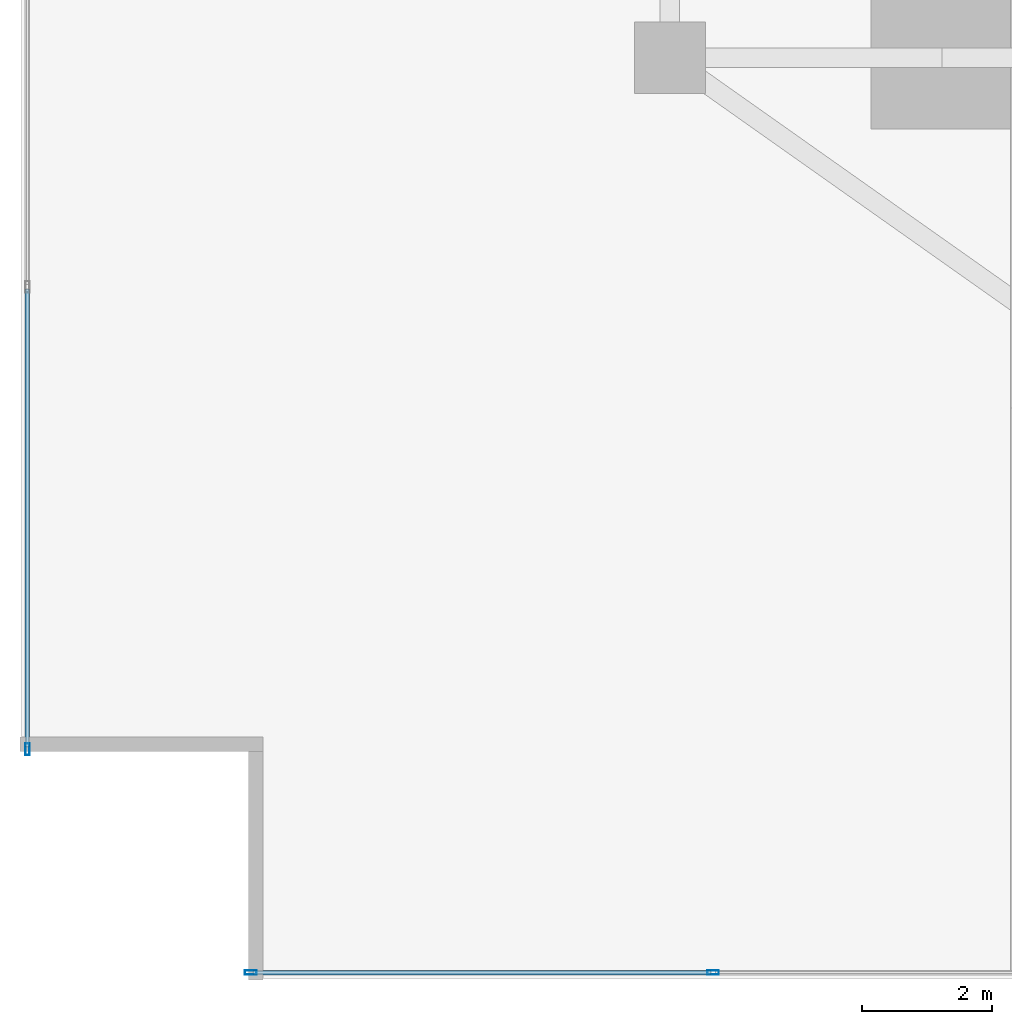
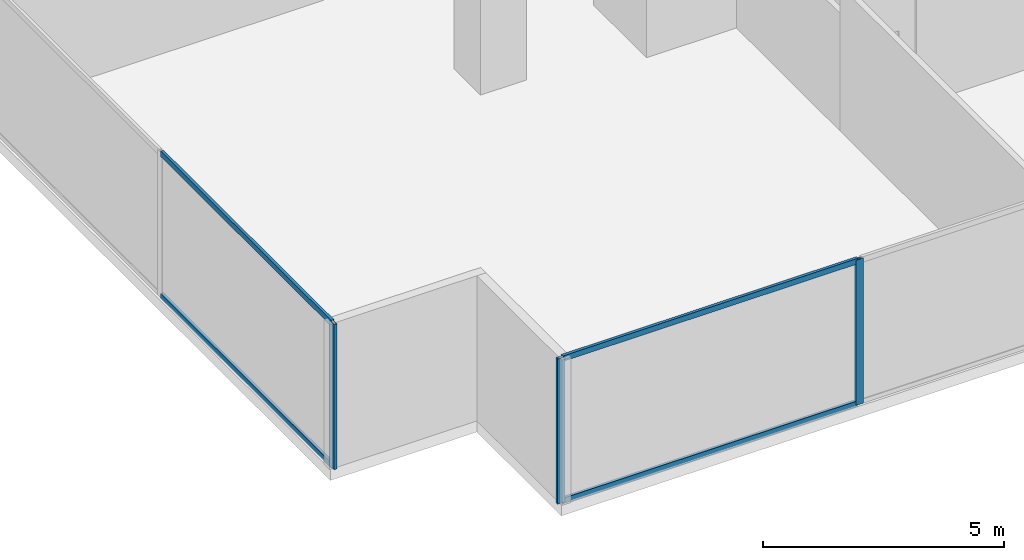
# One storey, part 2 of 28: 7 members, 2 elements without a shape of their own.
"""IFC4 building model written with IfcOpenShell, lengths in metres."""

import ifcopenshell
import ifcopenshell.guid

model = None  # the IFC model being written
_history = None  # IfcOwnerHistory: only IFC2X3 demands one
_inside = {}  # id of a spatial element -> (the spatial element, [elements in it])
_under = {}  # id of a project, library or spatial element -> (it, [spatial elements below it])
_declared = {}  # id of a project -> (the project, [libraries it declares])
_typed = {}  # id of a type object -> (the type object, [elements of that type])
_made_of = {}  # id of a material, layer set ... -> (it, [elements and type objects made of it])


def new_model(schema):
    """Start an empty IFC model of exactly this schema.

    Asked for "IFC4X3", IfcOpenShell would pick the latest addendum, in which some entities
    have other attributes; the version numbers below select the first issue.
    IFC2X3 requires an IfcOwnerHistory on every rooted entity: one is made here for all.
    """
    global model, _history
    if schema == "IFC4X3":
        model = ifcopenshell.file(schema_version=(4, 3, 0, 0))
    else:
        model = ifcopenshell.file(schema=schema)
    _inside.clear()
    _under.clear()
    _declared.clear()
    _typed.clear()
    _made_of.clear()
    _history = None
    if model.schema == "IFC2X3":
        org = make("IfcOrganization", Name="unknown")
        user = make(
            "IfcPersonAndOrganization",
            ThePerson=make("IfcPerson", FamilyName="unknown"),
            TheOrganization=org,
        )
        app = make(
            "IfcApplication",
            ApplicationDeveloper=org,
            Version="unknown",
            ApplicationFullName="unknown",
            ApplicationIdentifier="unknown",
        )
        _history = make(
            "IfcOwnerHistory",
            OwningUser=user,
            OwningApplication=app,
            ChangeAction="ADDED",
            CreationDate=0,
        )
    return model


def make(cls, **values):
    """One entity of the class cls with the attributes given. An attribute that is None is left unset."""
    return model.create_entity(
        cls, **{name: value for name, value in values.items() if value is not None}
    )


def rooted(cls, **values):
    """An entity with a GlobalId (a new one), such as an element, a storey or a relation."""
    return make(cls, GlobalId=ifcopenshell.guid.new(), OwnerHistory=_history, **values)


def si_unit(unit_type, name, prefix=None):
    """IfcSIUnit, for example si_unit("LENGTHUNIT", "METRE", prefix="MILLI")."""
    return make("IfcSIUnit", UnitType=unit_type, Prefix=prefix, Name=name)


def assignment(units):
    """IfcUnitAssignment: the units of a project."""
    return None if units is None else make("IfcUnitAssignment", Units=units)


def point(xyz):
    """IfcCartesianPoint."""
    return None if xyz is None else make("IfcCartesianPoint", Coordinates=xyz)


def direction(xyz):
    """IfcDirection."""
    return None if xyz is None else make("IfcDirection", DirectionRatios=xyz)


def frame(location, z_axis=None, x_axis=None):
    """IfcAxis2Placement3D, a coordinate frame: its origin and axes. An axis left out is left unset."""
    return make(
        "IfcAxis2Placement3D",
        Location=point(location),
        Axis=direction(z_axis),
        RefDirection=direction(x_axis),
    )


def frame_2d(location, x_axis=None):
    """IfcAxis2Placement2D, a coordinate frame in the plane: its origin and x axis."""
    return make(
        "IfcAxis2Placement2D", Location=point(location), RefDirection=direction(x_axis)
    )


def origin():
    """The frame at (0, 0, 0) with its axes left unset."""
    return frame((0.0, 0.0, 0.0))


def origin_2d():
    """The frame at (0, 0) in the plane with its x axis left unset."""
    return frame_2d((0.0, 0.0))


def place(relative_to, where):
    """IfcLocalPlacement: puts the frame where relative to a parent placement (None: the world)."""
    return make(
        "IfcLocalPlacement", PlacementRelTo=relative_to, RelativePlacement=where
    )


def context(
    kind, dimensions, precision=None, world=None, true_north=None, identifier=None
):
    """IfcGeometricRepresentationContext, for example the 3D "Model" context."""
    return make(
        "IfcGeometricRepresentationContext",
        ContextIdentifier=identifier,
        ContextType=kind,
        CoordinateSpaceDimension=dimensions,
        Precision=precision,
        WorldCoordinateSystem=world,
        TrueNorth=true_north,
    )


def subcontext(parent, identifier, kind, view, scale=None):
    """IfcGeometricRepresentationSubContext, for example "Body" below "Model"."""
    return make(
        "IfcGeometricRepresentationSubContext",
        ContextIdentifier=identifier,
        ContextType=kind,
        ParentContext=parent,
        TargetScale=scale,
        TargetView=view,
    )


def project(units=None, contexts=None):
    """IfcProject with its units and contexts."""
    return rooted(
        "IfcProject",
        Name="project",
        RepresentationContexts=contexts,
        UnitsInContext=assignment(units),
    )


def spatial(cls, under=None, at=None, **own):
    """A site, building, storey or space (cls), placed at a placement, below another one or the project."""
    s = rooted(cls, ObjectPlacement=at, **own)
    if under is not None:
        _under.setdefault(under.id(), (under, []))[1].append(s)
    return s


def profile(cls, at=None, kind="AREA", **sizes):
    """A parametric profile (cls). Its sizes go by their IFC names, for example OverallWidth=200.0."""
    return make(cls, ProfileType=kind, Position=at, **sizes)


def hollow_rectangle(**sizes):
    """IfcRectangleHollowProfileDef."""
    return profile("IfcRectangleHollowProfileDef", **sizes)


def extrude(swept, where, along, depth):
    """IfcExtrudedAreaSolid: the profile swept, set in the frame where, extruded along a direction by depth."""
    return make(
        "IfcExtrudedAreaSolid",
        SweptArea=swept,
        Position=where,
        ExtrudedDirection=direction(along),
        Depth=depth,
    )


def shape(context_of_items, identifier, shape_type, items):
    """IfcShapeRepresentation: the items that make up one representation, for example the "Body"."""
    return make(
        "IfcShapeRepresentation",
        ContextOfItems=context_of_items,
        RepresentationIdentifier=identifier,
        RepresentationType=shape_type,
        Items=items,
    )


def source(mapping_origin, context_of_items, identifier, shape_type, items):
    """IfcRepresentationMap: a shape defined once, which mapped items show again and again."""
    return make(
        "IfcRepresentationMap",
        MappingOrigin=mapping_origin,
        MappedRepresentation=shape(context_of_items, identifier, shape_type, items),
    )


def transform(
    local_origin,
    x_axis=None,
    y_axis=None,
    z_axis=None,
    scale=None,
    scale2=None,
    scale3=None,
    uniform=True,
):
    """IfcCartesianTransformationOperator3D, or its non-uniform kind. x_axis, y_axis, z_axis: its Axis1, 2, 3."""
    if uniform:
        return make(
            "IfcCartesianTransformationOperator3D",
            Axis1=direction(x_axis),
            Axis2=direction(y_axis),
            LocalOrigin=point(local_origin),
            Scale=scale,
            Axis3=direction(z_axis),
        )
    return make(
        "IfcCartesianTransformationOperator3DnonUniform",
        Axis1=direction(x_axis),
        Axis2=direction(y_axis),
        LocalOrigin=point(local_origin),
        Scale=scale,
        Axis3=direction(z_axis),
        Scale2=scale2,
        Scale3=scale3,
    )


def mapped(mapping_source, mapping_target):
    """IfcMappedItem: shows the shape of a source again, moved by a transform."""
    return make(
        "IfcMappedItem", MappingSource=mapping_source, MappingTarget=mapping_target
    )


def material(Name=None, Category=None):
    """IfcMaterial."""
    return make("IfcMaterial", Name=Name, Category=Category)


def material_profile(
    of_material, cross_section, Name=None, Category=None, Priority=None
):
    """IfcMaterialProfile: a cross section and its material."""
    return make(
        "IfcMaterialProfile",
        Name=Name,
        Material=of_material,
        Profile=cross_section,
        Priority=Priority,
        Category=Category,
    )


def profile_set(profiles, Name=None, composite=None):
    """IfcMaterialProfileSet."""
    return make(
        "IfcMaterialProfileSet",
        Name=Name,
        MaterialProfiles=profiles,
        CompositeProfile=composite,
    )


def made_of(thing, what):
    """Note that an element or type object is made of a material, layer set ...; save() writes the relation."""
    if what is not None:
        _made_of.setdefault(what.id(), (what, []))[1].append(thing)
    return thing


def type_object(cls, material=None, **own):
    """A type object (cls), such as IfcWallType, which elements share."""
    return made_of(rooted(cls, **own), material)


def type_shapes(of_type, sources):
    """Give a type object the sources (RepresentationMaps) that its elements show as mapped items."""
    of_type.RepresentationMaps = sources


def element(
    cls,
    number,
    at=None,
    inside=None,
    cuts=None,
    type_object=None,
    material=None,
    context=None,
    identifier="Body",
    shape_type=None,
    held_by="IfcProductDefinitionShape",
    body=None,
    shapes=None,
    **own,
):
    """One element of the class cls, such as IfcWall. Its Tag is "e" and its number.

    at: its placement. inside: the storey or other place that contains it. cuts: it is an
    opening in that element (IfcRelVoidsElement). A single representation is given by context,
    identifier, shape_type and body (its items); several are given by shapes. held_by: the class
    of the entity that holds the representations. save() writes the other relations.
    """
    e = rooted(cls, Tag="e%d" % number, ObjectPlacement=at, **own)
    if body is not None:
        shapes = [shape(context, identifier, shape_type, body)]
    if shapes is not None:
        e.Representation = make(held_by, Representations=shapes)
    if inside is not None:
        _inside.setdefault(inside.id(), (inside, []))[1].append(e)
    if cuts is not None:
        rooted(
            "IfcRelVoidsElement", RelatingBuildingElement=cuts, RelatedOpeningElement=e
        )
    if type_object is not None:
        _typed.setdefault(type_object.id(), (type_object, []))[1].append(e)
    return made_of(e, material)


def aggregate(whole, parts):
    """IfcRelAggregates: a whole, such as a stair, and the parts it consists of."""
    return rooted("IfcRelAggregates", RelatingObject=whole, RelatedObjects=parts)


def save(model, path):
    """Write the relations noted so far, then the file.

    IfcRelAggregates (storeys below a building ...), IfcRelContainedInSpatialStructure (elements
    in a storey), IfcRelDefinesByType, IfcRelAssociatesMaterial and IfcRelDeclares: one each for
    every whole, place, type object, material and project.
    """
    for whole, parts in _under.values():
        aggregate(whole, parts)
    for where, things in _inside.values():
        rooted(
            "IfcRelContainedInSpatialStructure",
            RelatedElements=things,
            RelatingStructure=where,
        )
    for kind, things in _typed.values():
        rooted("IfcRelDefinesByType", RelatedObjects=things, RelatingType=kind)
    for what, things in _made_of.values():
        rooted("IfcRelAssociatesMaterial", RelatedObjects=things, RelatingMaterial=what)
    for by, libraries in _declared.values():
        rooted("IfcRelDeclares", RelatingContext=by, RelatedDefinitions=libraries)
    model.write(path)


model = new_model("IFC4")

# Units and contexts
model_context = context("Model", 3, precision=1e-05, world=origin(), true_north=direction((0.0, 1.0)))
body_context = subcontext(model_context, "Body", "Model", "MODEL_VIEW")
ifc_project = project(units=[si_unit("LENGTHUNIT", "METRE"), si_unit("AREAUNIT", "SQUARE_METRE"), si_unit("VOLUMEUNIT", "CUBIC_METRE"), si_unit("PLANEANGLEUNIT", "RADIAN"), si_unit("MASSUNIT", "GRAM", prefix="KILO")], contexts=[model_context])

# Site, building, storey
site_placement = place(None, origin())
site = spatial("IfcSite", under=ifc_project, at=site_placement, CompositionType="ELEMENT")
building_placement = place(site_placement, origin())
building = spatial("IfcBuilding", under=site, at=building_placement, Name="Krantzveldt Concourse Tower", CompositionType="ELEMENT")
storey_placement = place(building_placement, frame((0.0, 0.0, 32.89990234375)))
storey = spatial("IfcBuildingStorey", under=building, at=storey_placement, Name="L07", CompositionType="ELEMENT", Elevation=32.89990234375)

# Curtain wall, members
ifc_material = material(Name="Anodised aluminium 6063-T6", Category="aluminium")
curtain_wall_type = type_object("IfcCurtainWallType", Name="CW2", PredefinedType="USERDEFINED", material=ifc_material)
curtain_wall_1_placement = place(storey_placement, origin())
curtain_wall_1 = element("IfcCurtainWall", 1, at=curtain_wall_1_placement, inside=storey, type_object=curtain_wall_type, Name="CW-L07-F04", ObjectType="UNITISED CURTAIN WALL", PredefinedType="USERDEFINED")
ifc_material_profile_1 = material_profile(ifc_material, hollow_rectangle(XDim=0.070068359375, YDim=0.139892578125, WallThickness=0.0048828125, at=origin_2d()), Name="Anodised aluminium 6063-T6", Category="aluminium")
ifc_profile_set_1 = profile_set([ifc_material_profile_1], Name="Anodised aluminium 6063-T6 - ALU-TRAN 140x70x5")
member_type_1 = type_object("IfcMemberType", Name="CW-TRN-150", PredefinedType="USERDEFINED", material=ifc_profile_set_1)
shared_shape_1 = source(origin(), body_context, "Body", "SweptSolid", [
    extrude(hollow_rectangle(XDim=0.070068359375, YDim=0.139892578125, WallThickness=0.0048828125, at=origin_2d()), origin(), (0.0, 0.0, 1.0), 7.0615234375),
])
member_1_placement = place(storey_placement, frame((14.570068359375, 1.7900390625, 0.03515625), z_axis=(1.0, 0.0, 0.0), x_axis=(0.0, 1.0, 0.0)))
member_1 = element("IfcMember", 2, at=member_1_placement, type_object=member_type_1, Name="CW-Z12 transom 1.1", ObjectType="TRANSOM", PredefinedType="USERDEFINED", context=body_context, shape_type="MappedRepresentation", body=[
    mapped(shared_shape_1, transform((0.0, 0.0, 0.0), x_axis=(1.0, 0.0, 0.0), y_axis=(0.0, 1.0, 0.0), z_axis=(0.0, 0.0, 1.0), scale=1.0)),
])
member_2_placement = place(storey_placement, frame((14.570068359375, 1.7900390625, 3.635009765625), z_axis=(1.0, 0.0, 0.0), x_axis=(0.0, 1.0, 0.0)))
member_2 = element("IfcMember", 3, at=member_2_placement, type_object=member_type_1, Name="CW-Z12 transom 1.2", ObjectType="TRANSOM", PredefinedType="USERDEFINED", context=body_context, shape_type="MappedRepresentation", body=[
    mapped(shared_shape_1, transform((0.0, 0.0, 0.0), x_axis=(1.0, 0.0, 0.0), y_axis=(0.0, 1.0, 0.0), z_axis=(0.0, 0.0, 1.0), scale=1.0)),
])

curtain_wall_2_placement = place(storey_placement, origin())
curtain_wall_2 = element("IfcCurtainWall", 4, at=curtain_wall_2_placement, inside=storey, type_object=curtain_wall_type, Name="CW-L07-F01", ObjectType="UNITISED CURTAIN WALL", PredefinedType="USERDEFINED")
shared_shape_2 = source(origin(), body_context, "Body", "SweptSolid", [
    extrude(hollow_rectangle(XDim=0.070068359375, YDim=0.139892578125, WallThickness=0.0048828125, at=origin_2d()), origin(), (0.0, 0.0, 1.0), 7.061767578125),
])
type_shapes(member_type_1, [shared_shape_1, shared_shape_2])
member_3_placement = place(storey_placement, frame((11.090087890625, 12.331787109375, 0.03515625), z_axis=(0.0, -1.0, 0.0), x_axis=(1.0, 0.0, 0.0)))
member_3 = element("IfcMember", 5, at=member_3_placement, type_object=member_type_1, Name="CW-Z12 transom 6.1", ObjectType="TRANSOM", PredefinedType="USERDEFINED", context=body_context, shape_type="MappedRepresentation", body=[
    mapped(shared_shape_2, transform((0.0, 0.0, 0.0), x_axis=(1.0, 0.0, 0.0), y_axis=(0.0, 1.0, 0.0), z_axis=(0.0, 0.0, 1.0), scale=1.0)),
])
member_4_placement = place(storey_placement, frame((11.090087890625, 12.331787109375, 3.635009765625), z_axis=(0.0, -1.0, 0.0), x_axis=(1.0, 0.0, 0.0)))
member_4 = element("IfcMember", 6, at=member_4_placement, type_object=member_type_1, Name="CW-Z12 transom 6.2", ObjectType="TRANSOM", PredefinedType="USERDEFINED", context=body_context, shape_type="MappedRepresentation", body=[
    mapped(shared_shape_2, transform((0.0, 0.0, 0.0), x_axis=(1.0, 0.0, 0.0), y_axis=(0.0, 1.0, 0.0), z_axis=(0.0, 0.0, 1.0), scale=1.0)),
])
ifc_material_profile_2 = material_profile(ifc_material, hollow_rectangle(XDim=0.070068359375, YDim=0.179931640625, WallThickness=0.0048828125, at=origin_2d()), Name="Anodised aluminium 6063-T6", Category="aluminium")
ifc_profile_set_2 = profile_set([ifc_material_profile_2], Name="Anodised aluminium 6063-T6 - ALU-MULL 180x70x5")
member_type_2 = type_object("IfcMemberType", Name="CW-MUL-180", PredefinedType="MULLION", material=ifc_profile_set_2)
shared_shape_3 = source(origin(), body_context, "Body", "SweptSolid", [
    extrude(hollow_rectangle(XDim=0.070068359375, YDim=0.179931640625, WallThickness=0.0048828125, at=origin_2d()), origin(), (0.0, 0.0, 1.0), 3.670166015625),
])
type_shapes(member_type_2, [shared_shape_3])
member_5_placement = place(storey_placement, frame((11.090087890625, 5.235107421875, 0.0), z_axis=(0.0, 0.0, 1.0), x_axis=(1.0, 0.0, 0.0)))
member_5 = element("IfcMember", 7, at=member_5_placement, type_object=member_type_2, Name="CW-Z12 mullion 7", PredefinedType="MULLION", context=body_context, shape_type="MappedRepresentation", body=[
    mapped(shared_shape_3, transform((0.0, 0.0, 0.0), x_axis=(1.0, 0.0, 0.0), y_axis=(0.0, 1.0, 0.0), z_axis=(0.0, 0.0, 1.0), scale=1.0)),
])
aggregate(curtain_wall_2, [member_5, member_3, member_4])

# Member
member_6_placement = place(storey_placement, frame((14.534912109375, 1.7900390625, 0.0), z_axis=(0.0, 0.0, 1.0), x_axis=(0.0, 1.0, 0.0)))
member_6 = element("IfcMember", 8, at=member_6_placement, type_object=member_type_2, Name="CW-Z12 mullion 1", PredefinedType="MULLION", context=body_context, shape_type="MappedRepresentation", body=[
    mapped(shared_shape_3, transform((0.0, 0.0, 0.0), x_axis=(1.0, 0.0, 0.0), y_axis=(0.0, 1.0, 0.0), z_axis=(0.0, 0.0, 1.0), scale=1.0)),
])

member_7_placement = place(storey_placement, frame((21.666748046875, 1.7900390625, 0.0), z_axis=(0.0, 0.0, 1.0), x_axis=(0.0, 1.0, 0.0)))
member_7 = element("IfcMember", 9, at=member_7_placement, type_object=member_type_2, Name="CW-Z12 mullion 2", PredefinedType="MULLION", context=body_context, shape_type="MappedRepresentation", body=[
    mapped(shared_shape_3, transform((0.0, 0.0, 0.0), x_axis=(1.0, 0.0, 0.0), y_axis=(0.0, 1.0, 0.0), z_axis=(0.0, 0.0, 1.0), scale=1.0)),
])

aggregate(curtain_wall_1, [member_6, member_7, member_1, member_2])

save(model, "model.ifc")
